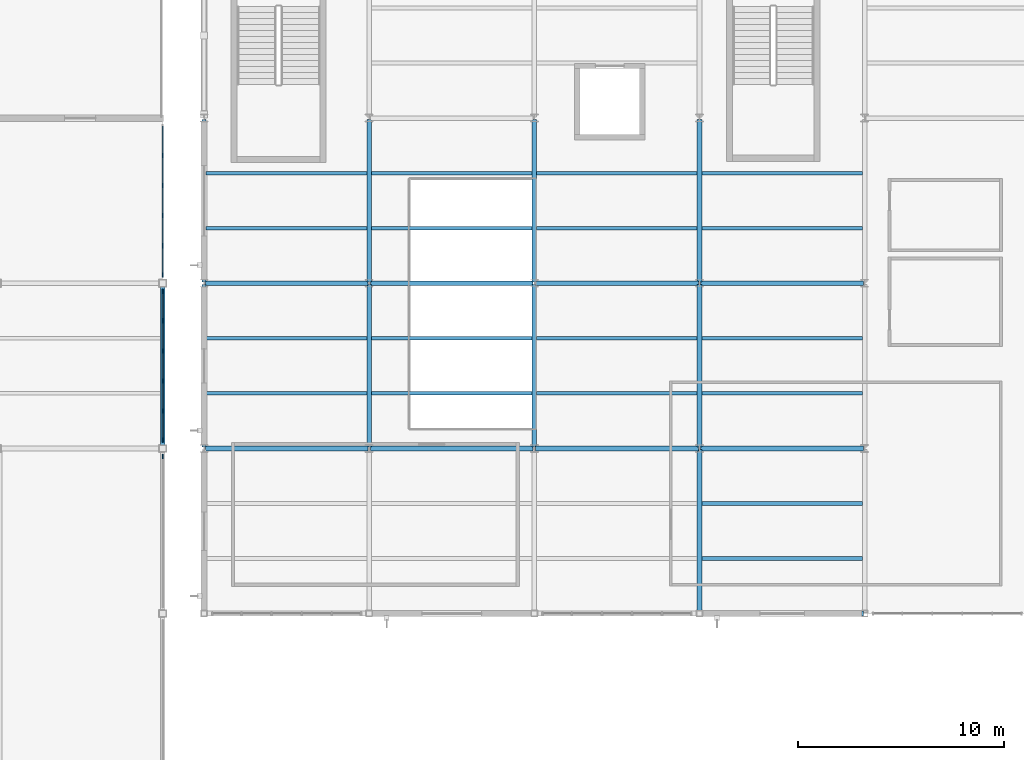
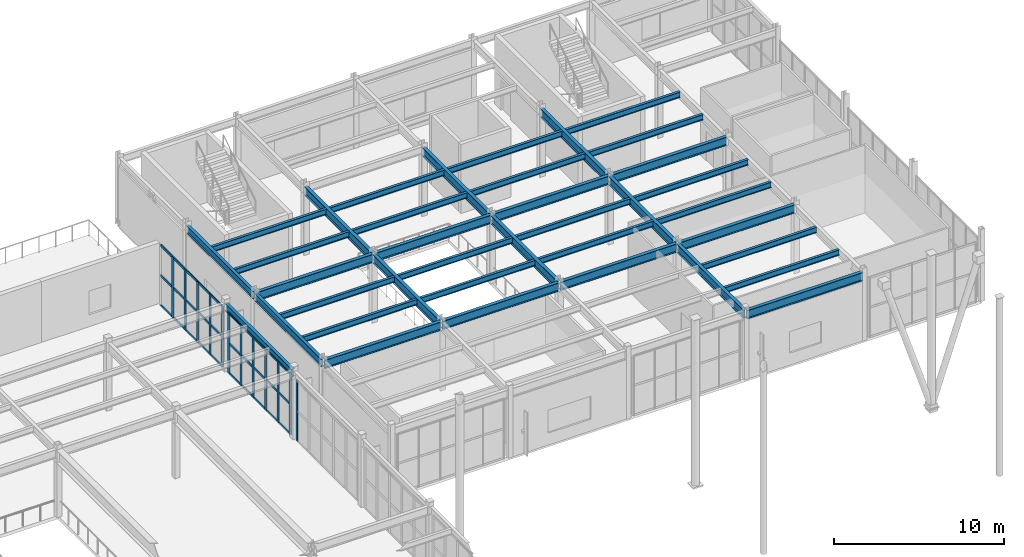
# One storey, part 40 of 77: 37 beams, 18 members, 3 elements without a shape of their own.
"""IFC4 building model written with IfcOpenShell, lengths in metres."""

from ifc_helpers import new_model, si_unit, direction, frame, origin, origin_2d, place, context, subcontext, project, spatial, rectangle, i_section, extrude, material, material_profile, profile_set, type_object, element, aggregate, save


model = new_model("IFC4")

# Units and contexts
model_context = context("Model", 3, precision=1e-05, world=origin(), true_north=direction((0.0, 1.0)))
body_context = subcontext(model_context, "Body", "Model", "MODEL_VIEW")
ifc_project = project(units=[si_unit("LENGTHUNIT", "METRE"), si_unit("AREAUNIT", "SQUARE_METRE"), si_unit("VOLUMEUNIT", "CUBIC_METRE"), si_unit("PLANEANGLEUNIT", "RADIAN"), si_unit("MASSUNIT", "GRAM", prefix="KILO")], contexts=[model_context])

# Site, building, storey
site_placement = place(None, origin())
site = spatial("IfcSite", under=ifc_project, at=site_placement, CompositionType="ELEMENT")
building_placement = place(site_placement, origin())
building = spatial("IfcBuilding", under=site, at=building_placement, Name="Drelvath Fold Interchange", CompositionType="ELEMENT")
storey_placement = place(building_placement, frame((0.0, 0.0, 6.0)))
storey = spatial("IfcBuildingStorey", under=building, at=storey_placement, Name="L01", CompositionType="ELEMENT", Elevation=6.0)

# Beams
ifc_material_1 = material(Name="Steel ASTM A992 Grade 50", Category="steel")
ifc_material_profile_1 = material_profile(ifc_material_1, i_section(OverallWidth=0.177978515625, OverallDepth=0.403076171875, WebThickness=0.007568359375, FlangeThickness=0.010986328125, at=origin_2d()), Name="W16X36")
ifc_profile_set_1 = profile_set([ifc_material_profile_1], Name="Steel ASTM A992 Grade 50")
beam_type_1 = type_object("IfcBeamType", Name="BM-W16X36", PredefinedType="JOIST", material=ifc_profile_set_1)
for number, where, z_axis, x_axis, name in (
    (1, (102.10302734375, 85.6669921875, 4.68896484375), (1.0, 0.0, 0.0), (0.0, 1.0, 0.0), "L01 Secondary floor joist BM-W16X36"),
    (2, (102.10302734375, 88.3330078125, 4.68896484375), (1.0, 0.0, 0.0), (0.0, 1.0, 0.0), "L01 Secondary floor joist BM-W16X36"),
    (3, (102.10302734375, 93.6669921875, 4.68896484375), (1.0, 0.0, 0.0), (0.0, 1.0, 0.0), "L01 Secondary floor joist BM-W16X36"),
    (4, (102.10302734375, 96.3330078125, 4.68896484375), (1.0, 0.0, 0.0), (0.0, 1.0, 0.0), "L01 Secondary floor joist BM-W16X36"),
):
    element("IfcBeam", number, at=place(storey_placement, frame(where, z_axis=z_axis, x_axis=x_axis)), inside=storey, type_object=beam_type_1, Name=name, PredefinedType="JOIST", context=body_context, shape_type="SweptSolid", body=[
        extrude(i_section(OverallWidth=0.177978515625, OverallDepth=0.403076171875, WebThickness=0.007568359375, FlangeThickness=0.010986328125, at=origin_2d()), origin(), (0.0, 0.0, 1.0), 7.783935546875),
    ])
for number, where, z_axis, x_axis, name in (
    (5, (110.113037109375, 85.6669921875, 4.68896484375), (1.0, 0.0, 0.0), (0.0, 1.0, 0.0), "L01 Secondary floor joist BM-W16X36"),
    (6, (110.113037109375, 88.3330078125, 4.68896484375), (1.0, 0.0, 0.0), (0.0, 1.0, 0.0), "L01 Secondary floor joist BM-W16X36"),
    (7, (110.113037109375, 93.6669921875, 4.68896484375), (1.0, 0.0, 0.0), (0.0, 1.0, 0.0), "L01 Secondary floor joist BM-W16X36"),
    (8, (110.113037109375, 96.3330078125, 4.68896484375), (1.0, 0.0, 0.0), (0.0, 1.0, 0.0), "L01 Secondary floor joist BM-W16X36"),
    (9, (118.113037109375, 85.6669921875, 4.68896484375), (1.0, 0.0, 0.0), (0.0, 1.0, 0.0), "L01 Secondary floor joist BM-W16X36"),
    (10, (118.113037109375, 88.3330078125, 4.68896484375), (1.0, 0.0, 0.0), (0.0, 1.0, 0.0), "L01 Secondary floor joist BM-W16X36"),
    (11, (118.113037109375, 93.6669921875, 4.68896484375), (1.0, 0.0, 0.0), (0.0, 1.0, 0.0), "L01 Secondary floor joist BM-W16X36"),
    (12, (118.113037109375, 96.3330078125, 4.68896484375), (1.0, 0.0, 0.0), (0.0, 1.0, 0.0), "L01 Secondary floor joist BM-W16X36"),
    (13, (126.113037109375, 77.6669921875, 4.68896484375), (1.0, 0.0, 0.0), (0.0, 1.0, 0.0), "L01 Secondary floor joist BM-W16X36"),
    (14, (126.113037109375, 80.3330078125, 4.68896484375), (1.0, 0.0, 0.0), (0.0, 1.0, 0.0), "L01 Secondary floor joist BM-W16X36"),
    (15, (126.113037109375, 85.6669921875, 4.68896484375), (1.0, 0.0, 0.0), (0.0, 1.0, 0.0), "L01 Secondary floor joist BM-W16X36"),
    (16, (126.113037109375, 88.3330078125, 4.68896484375), (1.0, 0.0, 0.0), (0.0, 1.0, 0.0), "L01 Secondary floor joist BM-W16X36"),
    (17, (126.113037109375, 93.6669921875, 4.68896484375), (1.0, 0.0, 0.0), (0.0, 1.0, 0.0), "L01 Secondary floor joist BM-W16X36"),
    (18, (126.113037109375, 96.3330078125, 4.68896484375), (1.0, 0.0, 0.0), (0.0, 1.0, 0.0), "L01 Secondary floor joist BM-W16X36"),
):
    element("IfcBeam", number, at=place(storey_placement, frame(where, z_axis=z_axis, x_axis=x_axis)), inside=storey, type_object=beam_type_1, Name=name, PredefinedType="JOIST", context=body_context, shape_type="SweptSolid", body=[
        extrude(i_section(OverallWidth=0.177978515625, OverallDepth=0.403076171875, WebThickness=0.007568359375, FlangeThickness=0.010986328125, at=origin_2d()), origin(), (0.0, 0.0, 1.0), 7.77392578125),
    ])
ifc_material_profile_2 = material_profile(ifc_material_1, i_section(OverallWidth=0.2099609375, OverallDepth=0.537109375, WebThickness=0.010986328125, FlangeThickness=0.017333984375, at=origin_2d()), Name="W21X68")
ifc_profile_set_2 = profile_set([ifc_material_profile_2], Name="Steel ASTM A992 Grade 50")
beam_type_2 = type_object("IfcBeamType", Name="BM-W21X68", PredefinedType="SPANDREL", material=ifc_profile_set_2)
for number, where, z_axis, x_axis, name in (
    (19, (100.0, 83.06005859375, 4.60107421875), (0.0, 1.0, 0.0), (-1.0, 0.0, 0.0), "L01 Primary Y girder BM-W21X68"),
    (20, (102.0, 83.06005859375, 4.6220703125), (0.0, 1.0, 0.0), (-1.0, 0.0, 0.0), "L01 Primary Y girder BM-W21X68"),
    (21, (102.0, 91.06005859375, 4.6220703125), (0.0, 1.0, 0.0), (-1.0, 0.0, 0.0), "L01 Primary Y girder BM-W21X68"),
):
    element("IfcBeam", number, at=place(storey_placement, frame(where, z_axis=z_axis, x_axis=x_axis)), inside=storey, type_object=beam_type_2, Name=name, PredefinedType="SPANDREL", context=body_context, shape_type="SweptSolid", body=[
        extrude(i_section(OverallWidth=0.2099609375, OverallDepth=0.537109375, WebThickness=0.010986328125, FlangeThickness=0.017333984375, at=origin_2d()), origin(), (0.0, 0.0, 1.0), 7.8798828125),
    ])
ifc_material_profile_3 = material_profile(ifc_material_1, i_section(OverallWidth=0.22998046875, OverallDepth=0.616943359375, WebThickness=0.01318359375, FlangeThickness=0.022216796875, at=origin_2d()), Name="W24X94")
ifc_profile_set_3 = profile_set([ifc_material_profile_3], Name="Steel ASTM A992 Grade 50")
beam_type_3 = type_object("IfcBeamType", Name="BM-W24X94", PredefinedType="BEAM", material=ifc_profile_set_3)
for number, where, z_axis, x_axis, name in (
    (22, (126.06005859375, 75.0, 4.58203125), (1.0, 0.0, 0.0), (0.0, 1.0, 0.0), "L01 Primary X girder BM-W24X94"),
    (23, (102.06005859375, 83.0, 4.58203125), (1.0, 0.0, 0.0), (0.0, 1.0, 0.0), "L01 Primary X girder BM-W24X94"),
    (24, (110.06005859375, 83.0, 4.58203125), (1.0, 0.0, 0.0), (0.0, 1.0, 0.0), "L01 Primary X girder BM-W24X94"),
    (25, (118.06005859375, 83.0, 4.58203125), (1.0, 0.0, 0.0), (0.0, 1.0, 0.0), "L01 Primary X girder BM-W24X94"),
    (26, (126.06005859375, 83.0, 4.58203125), (1.0, 0.0, 0.0), (0.0, 1.0, 0.0), "L01 Primary X girder BM-W24X94"),
    (27, (102.06005859375, 91.0, 4.58203125), (1.0, 0.0, 0.0), (0.0, 1.0, 0.0), "L01 Primary X girder BM-W24X94"),
    (28, (110.06005859375, 91.0, 4.58203125), (1.0, 0.0, 0.0), (0.0, 1.0, 0.0), "L01 Primary X girder BM-W24X94"),
    (29, (118.06005859375, 91.0, 4.58203125), (1.0, 0.0, 0.0), (0.0, 1.0, 0.0), "L01 Primary X girder BM-W24X94"),
    (30, (126.06005859375, 91.0, 4.58203125), (1.0, 0.0, 0.0), (0.0, 1.0, 0.0), "L01 Primary X girder BM-W24X94"),
    (31, (110.0, 83.06005859375, 4.58203125), (0.0, 1.0, 0.0), (-1.0, 0.0, 0.0), "L01 Primary Y girder BM-W24X94"),
    (32, (110.0, 91.06005859375, 4.58203125), (0.0, 1.0, 0.0), (-1.0, 0.0, 0.0), "L01 Primary Y girder BM-W24X94"),
    (33, (118.0, 83.06005859375, 4.58203125), (0.0, 1.0, 0.0), (-1.0, 0.0, 0.0), "L01 Primary Y girder BM-W24X94"),
    (34, (118.0, 91.06005859375, 4.58203125), (0.0, 1.0, 0.0), (-1.0, 0.0, 0.0), "L01 Primary Y girder BM-W24X94"),
    (35, (126.0, 75.06005859375, 4.58203125), (0.0, 1.0, 0.0), (-1.0, 0.0, 0.0), "L01 Primary Y girder BM-W24X94"),
    (36, (126.0, 83.06005859375, 4.58203125), (0.0, 1.0, 0.0), (-1.0, 0.0, 0.0), "L01 Primary Y girder BM-W24X94"),
    (37, (126.0, 91.06005859375, 4.58203125), (0.0, 1.0, 0.0), (-1.0, 0.0, 0.0), "L01 Primary Y girder BM-W24X94"),
):
    element("IfcBeam", number, at=place(storey_placement, frame(where, z_axis=z_axis, x_axis=x_axis)), inside=storey, type_object=beam_type_3, Name=name, PredefinedType="BEAM", context=body_context, shape_type="SweptSolid", body=[
        extrude(i_section(OverallWidth=0.22998046875, OverallDepth=0.616943359375, WebThickness=0.01318359375, FlangeThickness=0.022216796875, at=origin_2d()), origin(), (0.0, 0.0, 1.0), 7.8798828125),
    ])

# Curtain wall, member
ifc_material_2 = material(Name="Anodized Aluminium 6063-T6", Category="aluminium")
curtain_wall_type = type_object("IfcCurtainWallType", Name="CW-CON-520", PredefinedType="USERDEFINED", material=ifc_material_2)
curtain_wall_1_placement = place(storey_placement, origin())
curtain_wall_1 = element("IfcCurtainWall", 38, at=curtain_wall_1_placement, inside=storey, type_object=curtain_wall_type, Name="Curtain wall CW-V1E-L01-Y75", ObjectType="UNITISED CURTAIN WALL", PredefinedType="USERDEFINED")
ifc_material_profile_4 = material_profile(ifc_material_2, rectangle(XDim=0.06494140625, YDim=0.219970703125, at=origin_2d()), Name="AL-M 65x220")
ifc_profile_set_4 = profile_set([ifc_material_profile_4], Name="Anodized Aluminium 6063-T6")
member_type_1 = type_object("IfcMemberType", Name="ML-220", PredefinedType="MULLION", material=ifc_profile_set_4)
member_1_placement = place(storey_placement, frame((100.0, 82.60009765625, 0.0), z_axis=(0.0, 0.0, 1.0), x_axis=(1.0, 0.0, 0.0)))
member_1 = element("IfcMember", 39, at=member_1_placement, type_object=member_type_1, Name="CW-V1E-L01-Y75 mullion 5", PredefinedType="MULLION", context=body_context, shape_type="SweptSolid", body=[
    extrude(rectangle(XDim=0.06494140625, YDim=0.219970703125, at=origin_2d()), origin(), (0.0, 0.0, 1.0), 4.35009765625),
])
aggregate(curtain_wall_1, [member_1])

# Curtain wall, members
curtain_wall_2_placement = place(storey_placement, origin())
curtain_wall_2 = element("IfcCurtainWall", 40, at=curtain_wall_2_placement, inside=storey, type_object=curtain_wall_type, Name="Curtain wall CW-V1E-L01-Y83", ObjectType="UNITISED CURTAIN WALL", PredefinedType="USERDEFINED")
member_2_placement = place(storey_placement, frame((100.0, 83.39990234375, 0.0), z_axis=(0.0, 0.0, 1.0), x_axis=(1.0, 0.0, 0.0)))
member_2 = element("IfcMember", 41, at=member_2_placement, type_object=member_type_1, Name="CW-V1E-L01-Y83 mullion 0", PredefinedType="MULLION", context=body_context, shape_type="SweptSolid", body=[
    extrude(rectangle(XDim=0.06494140625, YDim=0.219970703125, at=origin_2d()), origin(), (0.0, 0.0, 1.0), 4.35009765625),
])
member_3_placement = place(storey_placement, frame((100.0, 84.81591796875, 0.0), z_axis=(0.0, 0.0, 1.0), x_axis=(1.0, 0.0, 0.0)))
member_3 = element("IfcMember", 42, at=member_3_placement, type_object=member_type_1, Name="CW-V1E-L01-Y83 mullion 1", PredefinedType="MULLION", context=body_context, shape_type="SweptSolid", body=[
    extrude(rectangle(XDim=0.06494140625, YDim=0.219970703125, at=origin_2d()), origin(), (0.0, 0.0, 1.0), 4.35009765625),
])
member_4_placement = place(storey_placement, frame((100.0, 86.27197265625, 0.0), z_axis=(0.0, 0.0, 1.0), x_axis=(1.0, 0.0, 0.0)))
member_4 = element("IfcMember", 43, at=member_4_placement, type_object=member_type_1, Name="CW-V1E-L01-Y83 mullion 2", PredefinedType="MULLION", context=body_context, shape_type="SweptSolid", body=[
    extrude(rectangle(XDim=0.06494140625, YDim=0.219970703125, at=origin_2d()), origin(), (0.0, 0.0, 1.0), 4.35009765625),
])
member_5_placement = place(storey_placement, frame((100.0, 87.72802734375, 0.0), z_axis=(0.0, 0.0, 1.0), x_axis=(1.0, 0.0, 0.0)))
member_5 = element("IfcMember", 44, at=member_5_placement, type_object=member_type_1, Name="CW-V1E-L01-Y83 mullion 3", PredefinedType="MULLION", context=body_context, shape_type="SweptSolid", body=[
    extrude(rectangle(XDim=0.06494140625, YDim=0.219970703125, at=origin_2d()), origin(), (0.0, 0.0, 1.0), 4.35009765625),
])
member_6_placement = place(storey_placement, frame((100.0, 89.18408203125, 0.0), z_axis=(0.0, 0.0, 1.0), x_axis=(1.0, 0.0, 0.0)))
member_6 = element("IfcMember", 45, at=member_6_placement, type_object=member_type_1, Name="CW-V1E-L01-Y83 mullion 4", PredefinedType="MULLION", context=body_context, shape_type="SweptSolid", body=[
    extrude(rectangle(XDim=0.06494140625, YDim=0.219970703125, at=origin_2d()), origin(), (0.0, 0.0, 1.0), 4.35009765625),
])
member_7_placement = place(storey_placement, frame((100.0, 90.60009765625, 0.0), z_axis=(0.0, 0.0, 1.0), x_axis=(1.0, 0.0, 0.0)))
member_7 = element("IfcMember", 46, at=member_7_placement, type_object=member_type_1, Name="CW-V1E-L01-Y83 mullion 5", PredefinedType="MULLION", context=body_context, shape_type="SweptSolid", body=[
    extrude(rectangle(XDim=0.06494140625, YDim=0.219970703125, at=origin_2d()), origin(), (0.0, 0.0, 1.0), 4.35009765625),
])

curtain_wall_3_placement = place(storey_placement, origin())
curtain_wall_3 = element("IfcCurtainWall", 47, at=curtain_wall_3_placement, inside=storey, type_object=curtain_wall_type, Name="Curtain wall CW-V1E-L01-Y91", ObjectType="UNITISED CURTAIN WALL", PredefinedType="USERDEFINED")
member_8_placement = place(storey_placement, frame((100.0, 91.39990234375, 0.0), z_axis=(0.0, 0.0, 1.0), x_axis=(1.0, 0.0, 0.0)))
member_8 = element("IfcMember", 48, at=member_8_placement, type_object=member_type_1, Name="CW-V1E-L01-Y91 mullion 0", PredefinedType="MULLION", context=body_context, shape_type="SweptSolid", body=[
    extrude(rectangle(XDim=0.06494140625, YDim=0.219970703125, at=origin_2d()), origin(), (0.0, 0.0, 1.0), 4.35009765625),
])
member_9_placement = place(storey_placement, frame((100.0, 92.81591796875, 0.0), z_axis=(0.0, 0.0, 1.0), x_axis=(1.0, 0.0, 0.0)))
member_9 = element("IfcMember", 49, at=member_9_placement, type_object=member_type_1, Name="CW-V1E-L01-Y91 mullion 1", PredefinedType="MULLION", context=body_context, shape_type="SweptSolid", body=[
    extrude(rectangle(XDim=0.06494140625, YDim=0.219970703125, at=origin_2d()), origin(), (0.0, 0.0, 1.0), 4.35009765625),
])
member_10_placement = place(storey_placement, frame((100.0, 94.27197265625, 0.0), z_axis=(0.0, 0.0, 1.0), x_axis=(1.0, 0.0, 0.0)))
member_10 = element("IfcMember", 50, at=member_10_placement, type_object=member_type_1, Name="CW-V1E-L01-Y91 mullion 2", PredefinedType="MULLION", context=body_context, shape_type="SweptSolid", body=[
    extrude(rectangle(XDim=0.06494140625, YDim=0.219970703125, at=origin_2d()), origin(), (0.0, 0.0, 1.0), 4.35009765625),
])
member_11_placement = place(storey_placement, frame((100.0, 95.72802734375, 0.0), z_axis=(0.0, 0.0, 1.0), x_axis=(1.0, 0.0, 0.0)))
member_11 = element("IfcMember", 51, at=member_11_placement, type_object=member_type_1, Name="CW-V1E-L01-Y91 mullion 3", PredefinedType="MULLION", context=body_context, shape_type="SweptSolid", body=[
    extrude(rectangle(XDim=0.06494140625, YDim=0.219970703125, at=origin_2d()), origin(), (0.0, 0.0, 1.0), 4.35009765625),
])
member_12_placement = place(storey_placement, frame((100.0, 97.18408203125, 0.0), z_axis=(0.0, 0.0, 1.0), x_axis=(1.0, 0.0, 0.0)))
member_12 = element("IfcMember", 52, at=member_12_placement, type_object=member_type_1, Name="CW-V1E-L01-Y91 mullion 4", PredefinedType="MULLION", context=body_context, shape_type="SweptSolid", body=[
    extrude(rectangle(XDim=0.06494140625, YDim=0.219970703125, at=origin_2d()), origin(), (0.0, 0.0, 1.0), 4.35009765625),
])

# Member
ifc_material_profile_5 = material_profile(ifc_material_2, rectangle(XDim=0.06494140625, YDim=0.179931640625, at=origin_2d()), Name="AL-T 65x180")
ifc_profile_set_5 = profile_set([ifc_material_profile_5], Name="Anodized Aluminium 6063-T6")
member_type_2 = type_object("IfcMemberType", Name="TR-180", PredefinedType="USERDEFINED", material=ifc_profile_set_5)
member_13_placement = place(storey_placement, frame((100.0, 83.39990234375, 0.030029296875), z_axis=(0.0, 1.0, 0.0), x_axis=(-1.0, 0.0, 0.0)))
member_13 = element("IfcMember", 53, at=member_13_placement, type_object=member_type_2, Name="CW-V1E-L01-Y83 transom 0", ObjectType="TRANSOM", PredefinedType="USERDEFINED", context=body_context, shape_type="SweptSolid", body=[
    extrude(rectangle(XDim=0.06494140625, YDim=0.179931640625, at=origin_2d()), origin(), (0.0, 0.0, 1.0), 7.2001953125),
])

member_14_placement = place(storey_placement, frame((100.0, 83.39990234375, 2.175048828125), z_axis=(0.0, 1.0, 0.0), x_axis=(-1.0, 0.0, 0.0)))
member_14 = element("IfcMember", 54, at=member_14_placement, type_object=member_type_2, Name="CW-V1E-L01-Y83 transom 1", ObjectType="TRANSOM", PredefinedType="USERDEFINED", context=body_context, shape_type="SweptSolid", body=[
    extrude(rectangle(XDim=0.06494140625, YDim=0.179931640625, at=origin_2d()), origin(), (0.0, 0.0, 1.0), 7.2001953125),
])

member_15_placement = place(storey_placement, frame((100.0, 83.39990234375, 4.320068359375), z_axis=(0.0, 1.0, 0.0), x_axis=(-1.0, 0.0, 0.0)))
member_15 = element("IfcMember", 55, at=member_15_placement, type_object=member_type_2, Name="CW-V1E-L01-Y83 transom 2", ObjectType="TRANSOM", PredefinedType="USERDEFINED", context=body_context, shape_type="SweptSolid", body=[
    extrude(rectangle(XDim=0.06494140625, YDim=0.179931640625, at=origin_2d()), origin(), (0.0, 0.0, 1.0), 7.2001953125),
])

aggregate(curtain_wall_2, [member_2, member_3, member_4, member_5, member_6, member_7, member_13, member_14, member_15])

member_16_placement = place(storey_placement, frame((100.0, 91.39990234375, 0.030029296875), z_axis=(0.0, 1.0, 0.0), x_axis=(-1.0, 0.0, 0.0)))
member_16 = element("IfcMember", 56, at=member_16_placement, type_object=member_type_2, Name="CW-V1E-L01-Y91 transom 0", ObjectType="TRANSOM", PredefinedType="USERDEFINED", context=body_context, shape_type="SweptSolid", body=[
    extrude(rectangle(XDim=0.06494140625, YDim=0.179931640625, at=origin_2d()), origin(), (0.0, 0.0, 1.0), 7.2001953125),
])

member_17_placement = place(storey_placement, frame((100.0, 91.39990234375, 2.175048828125), z_axis=(0.0, 1.0, 0.0), x_axis=(-1.0, 0.0, 0.0)))
member_17 = element("IfcMember", 57, at=member_17_placement, type_object=member_type_2, Name="CW-V1E-L01-Y91 transom 1", ObjectType="TRANSOM", PredefinedType="USERDEFINED", context=body_context, shape_type="SweptSolid", body=[
    extrude(rectangle(XDim=0.06494140625, YDim=0.179931640625, at=origin_2d()), origin(), (0.0, 0.0, 1.0), 7.2001953125),
])

member_18_placement = place(storey_placement, frame((100.0, 91.39990234375, 4.320068359375), z_axis=(0.0, 1.0, 0.0), x_axis=(-1.0, 0.0, 0.0)))
member_18 = element("IfcMember", 58, at=member_18_placement, type_object=member_type_2, Name="CW-V1E-L01-Y91 transom 2", ObjectType="TRANSOM", PredefinedType="USERDEFINED", context=body_context, shape_type="SweptSolid", body=[
    extrude(rectangle(XDim=0.06494140625, YDim=0.179931640625, at=origin_2d()), origin(), (0.0, 0.0, 1.0), 7.2001953125),
])

aggregate(curtain_wall_3, [member_8, member_9, member_10, member_11, member_12, member_16, member_17, member_18])

save(model, "model.ifc")
